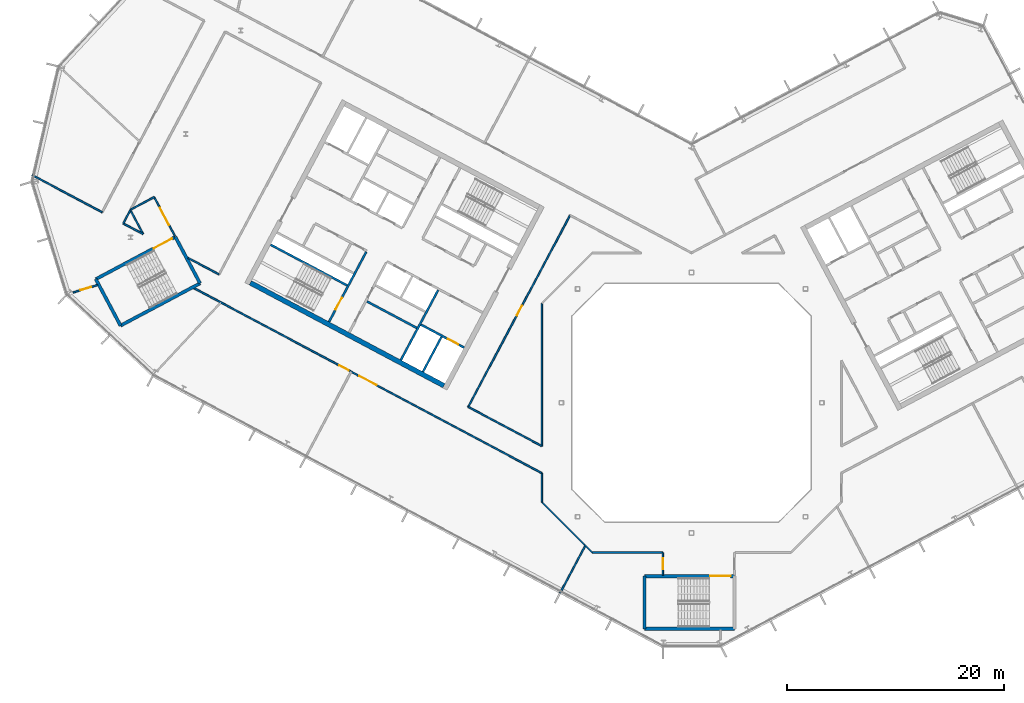
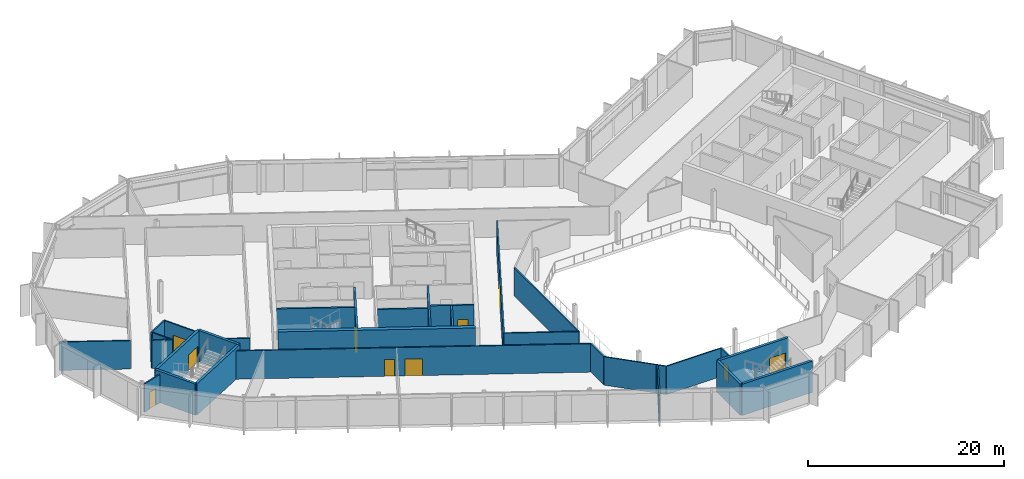
# One storey, part 12 of 25: 32 walls, 10 doors, 10 openings.
"""IFC4 building model written with IfcOpenShell, lengths in metres."""

from ifc_helpers import new_model, si_unit, direction, frame, frame_2d, origin, place, context, subcontext, project, spatial, rectangle, extrude, material, layer, layer_set, type_object, element, fill, save


model = new_model("IFC4")

# Units and contexts
model_context = context("Model", 3, precision=1e-05, world=origin(), true_north=direction((0.0, 1.0)))
body_context = subcontext(model_context, "Body", "Model", "MODEL_VIEW")
ifc_project = project(units=[si_unit("LENGTHUNIT", "METRE"), si_unit("AREAUNIT", "SQUARE_METRE"), si_unit("VOLUMEUNIT", "CUBIC_METRE"), si_unit("PLANEANGLEUNIT", "RADIAN"), si_unit("MASSUNIT", "GRAM", prefix="KILO")], contexts=[model_context])

# Site, building, storey
site_placement = place(None, origin())
site = spatial("IfcSite", under=ifc_project, at=site_placement, CompositionType="ELEMENT")
building_placement = place(site_placement, origin())
building = spatial("IfcBuilding", under=site, at=building_placement, Name="Cormorant Relay Tower", CompositionType="ELEMENT")
storey_placement = place(building_placement, frame((0.0, 0.0, 281.39990234375)))
storey = spatial("IfcBuildingStorey", under=building, at=storey_placement, Name="L63", CompositionType="ELEMENT", Elevation=281.39990234375)

# Walls
ifc_material_1 = material(Name="Concrete 40 MPa", Category="concrete")
ifc_layer_1 = layer(ifc_material_1, 0.199951171875)
ifc_layer_set_1 = layer_set([ifc_layer_1], Name="Core internal wall 200")
wall_type_1 = type_object("IfcWallType", Name="Core internal wall 200", PredefinedType="SOLIDWALL", material=ifc_layer_set_1)
wall_1_placement = place(storey_placement, frame((-25.326416015625, 6.8974609375, 0.0), z_axis=(0.0, 0.0, 1.0), x_axis=(-0.882953967957, 0.469459572775, 0.0)))
element("IfcWall", 1, at=wall_1_placement, inside=storey, type_object=wall_type_1, Name="L63 core A shaft and room wall", PredefinedType="SOLIDWALL", context=body_context, shape_type="SweptSolid", body=[
    extrude(rectangle(XDim=5.199951171875, YDim=0.199951171875, at=frame_2d((2.60009765625, 0.0))), origin(), (0.0, 0.0, 1.0), 3.900146484375),
])
ifc_material_2 = material(Name="Concrete 50 MPa", Category="concrete")
ifc_layer_2 = layer(ifc_material_2, 0.199951171875)
ifc_layer_set_2 = layer_set([ifc_layer_2], Name="Core shaft wall 200")
wall_type_2 = type_object("IfcWallType", Name="Core shaft wall 200", PredefinedType="SHEAR", material=ifc_layer_set_2)
wall_2_placement = place(storey_placement, frame((-23.04296875, 6.07958984375, 0.0), z_axis=(0.0, 0.0, 1.0), x_axis=(-0.469494272526, -0.882935517501, 0.0)))
element("IfcWall", 2, at=wall_2_placement, inside=storey, type_object=wall_type_2, Name="L63 core A shaft wall", PredefinedType="SHEAR", context=body_context, shape_type="SweptSolid", body=[
    extrude(rectangle(XDim=3.64990234375, YDim=0.199951171875, at=frame_2d((1.824951171875, 0.0))), origin(), (0.0, 0.0, 1.0), 3.900146484375),
])
wall_3_placement = place(storey_placement, frame((-23.360107421875, 10.38232421875, 0.0), z_axis=(0.0, 0.0, 1.0), x_axis=(-0.469480409012, -0.88294288918, 0.0)))
element("IfcWall", 3, at=wall_3_placement, inside=storey, type_object=wall_type_2, Name="L63 core A shaft wall", PredefinedType="SHEAR", context=body_context, shape_type="SweptSolid", body=[
    extrude(rectangle(XDim=7.300048828125, YDim=0.199951171875, at=frame_2d((3.64990234375, 0.0))), origin(), (0.0, 0.0, 1.0), 3.900146484375),
])

# Wall, opening, door
wall_4_placement = place(storey_placement, frame((-29.982421875, 13.9033203125, 0.0), z_axis=(0.0, 0.0, 1.0), x_axis=(-0.469454336211, -0.882956752176, 0.0)))
wall_4 = element("IfcWall", 4, at=wall_4_placement, inside=storey, type_object=wall_type_2, Name="L63 core A shaft wall", PredefinedType="SHEAR", context=body_context, shape_type="SweptSolid", body=[
    extrude(rectangle(XDim=7.300048828125, YDim=0.199951171875, at=frame_2d((3.64990234375, 0.0))), origin(), (0.0, 0.0, 1.0), 3.900146484375),
])
opening_1_placement = place(wall_4_placement, frame((4.800048828125, 0.0, 0.0)))
opening_1 = element("IfcOpeningElement", 5, at=opening_1_placement, cuts=wall_4, Name="Opening CDB-039", PredefinedType="OPENING", context=body_context, shape_type="SweptSolid", body=[
    extrude(rectangle(XDim=1.199951171875, YDim=2.10009765625, at=frame_2d((0.60009765625, 1.050048828125))), frame((0.0, 0.10986328125, 0.0), z_axis=(0.0, -1.0, 0.0), x_axis=(1.0, 0.0, 0.0)), (0.0, 0.0, 1.0), 0.219970703125),
])
ifc_material_3 = material(Name="Steel fire door", Category="steel")
door_type_1 = type_object("IfcDoorType", Name="Core stair door 1200x2100", OperationType="SINGLE_SWING_LEFT", PredefinedType="DOOR", material=ifc_material_3)
door_1_placement = place(opening_1_placement, frame((1.199951171875, 0.0, 0.0), z_axis=(0.0, 0.0, 1.0), x_axis=(-1.0, 0.0, 0.0)))
door_1 = element("IfcDoor", 6, at=door_1_placement, inside=storey, type_object=door_type_1, Name="Core stair door 1200x2100", OperationType="SINGLE_SWING_RIGHT", OverallHeight=2.10009765625, OverallWidth=1.199951171875, PredefinedType="DOOR", context=body_context, shape_type="SweptSolid", body=[
    extrude(rectangle(XDim=1.199951171875, YDim=2.10009765625, at=frame_2d((0.60009765625, 1.050048828125))), frame((0.0, 0.02490234375, 0.0), z_axis=(0.0, -1.0, 0.0), x_axis=(1.0, 0.0, 0.0)), (0.0, 0.0, 1.0), 0.050048828125),
])
fill(opening_1, door_1)

wall_5_placement = place(storey_placement, frame((-20.96533203125, 5.088134765625, 0.0), z_axis=(0.0, 0.0, 1.0), x_axis=(-0.882925986334, 0.469512196493, 0.0)))
wall_5 = element("IfcWall", 7, at=wall_5_placement, inside=storey, type_object=wall_type_2, Name="L63 core A shaft wall", PredefinedType="SHEAR", context=body_context, shape_type="SweptSolid", body=[
    extrude(rectangle(XDim=4.5, YDim=0.199951171875, at=frame_2d((2.25, 0.0))), origin(), (0.0, 0.0, 1.0), 3.900146484375),
])
opening_2_placement = place(wall_5_placement, frame((0.60009765625, 0.0, 0.0)))
opening_2 = element("IfcOpeningElement", 8, at=opening_2_placement, cuts=wall_5, Name="Opening LD1-063", PredefinedType="OPENING", context=body_context, shape_type="SweptSolid", body=[
    extrude(rectangle(XDim=1.10009765625, YDim=2.10009765625, at=frame_2d((0.550048828125, 1.050048828125))), frame((0.0, 0.10986328125, 0.0), z_axis=(0.0, -1.0, 0.0), x_axis=(1.0, 0.0, 0.0)), (0.0, 0.0, 1.0), 0.219970703125),
])
ifc_material_4 = material(Name="Stainless steel 316", Category="steel")
door_type_2 = type_object("IfcDoorType", Name="Lift landing door 1100x2100", OperationType="DOUBLE_DOOR_SLIDING", PredefinedType="DOOR", material=ifc_material_4)
door_2_placement = place(opening_2_placement, origin())
door_2 = element("IfcDoor", 9, at=door_2_placement, inside=storey, type_object=door_type_2, Name="FF1 landing door", OperationType="DOUBLE_DOOR_SLIDING", OverallHeight=2.10009765625, OverallWidth=1.10009765625, PredefinedType="DOOR", context=body_context, shape_type="SweptSolid", body=[
    extrude(rectangle(XDim=1.10009765625, YDim=2.10009765625, at=frame_2d((0.550048828125, 1.050048828125))), frame((0.0, 0.02490234375, 0.0), z_axis=(0.0, -1.0, 0.0), x_axis=(1.0, 0.0, 0.0)), (0.0, 0.0, 1.0), 0.050048828125),
])
fill(opening_2, door_2)

# Walls
wall_6_placement = place(storey_placement, frame((-31.7373046875, 10.815673828125, 0.0), z_axis=(0.0, 0.0, 1.0), x_axis=(-0.882940221191, 0.469485426614, 0.0)))
element("IfcWall", 10, at=wall_6_placement, inside=storey, type_object=wall_type_2, Name="L63 core A shaft wall", PredefinedType="SHEAR", context=body_context, shape_type="SweptSolid", body=[
    extrude(rectangle(XDim=8.0, YDim=0.199951171875, at=frame_2d((4.0, 0.0))), origin(), (0.0, 0.0, 1.0), 3.900146484375),
])
ifc_material_5 = material(Name="Concrete 50 MPa", Category="concrete")
ifc_layer_3 = layer(ifc_material_5, 0.449951171875)
ifc_layer_set_3 = layer_set([ifc_layer_3], Name="Core wall 450")
wall_type_3 = type_object("IfcWallType", Name="Core wall 450", PredefinedType="SHEAR", material=ifc_layer_set_3)
wall_7_placement = place(storey_placement, frame((-22.83154296875, 1.578369140625, 0.0), z_axis=(0.0, 0.0, 1.0), x_axis=(-0.88294509198, 0.469476266226, 0.0)))
element("IfcWall", 11, at=wall_7_placement, inside=storey, type_object=wall_type_3, Name="L63 core A wall", PredefinedType="SHEAR", context=body_context, shape_type="SweptSolid", body=[
    extrude(rectangle(XDim=20.199951171875, YDim=0.449951171875, at=frame_2d((10.10009765625, 0.0))), origin(), (0.0, 0.0, 1.0), 3.900146484375),
])
ifc_material_6 = material(Name="Gypsum board fire partition")
ifc_layer_4 = layer(ifc_material_6, 0.14990234375)
ifc_layer_set_4 = layer_set([ifc_layer_4], Name="Corridor partition 150 EI 60")
wall_type_4 = type_object("IfcWallType", Name="Corridor partition 150 EI 60", PredefinedType="PARTITIONING", material=ifc_layer_set_4)
wall_8_placement = place(storey_placement, frame((-54.31591796875, 17.554931640625, 0.0), z_axis=(0.0, 0.0, 1.0), x_axis=(-0.882945267795, 0.469475935569, 0.0)))
element("IfcWall", 12, at=wall_8_placement, inside=storey, type_object=wall_type_4, Name="wall/L63/part/004", PredefinedType="PARTITIONING", context=body_context, shape_type="SweptSolid", body=[
    extrude(rectangle(XDim=7.32763671875, YDim=0.14990234375, at=frame_2d((3.663818359375, 0.0))), origin(), (0.0, 0.0, 1.0), 3.5400390625),
])

# Wall, opening, door
wall_9_placement = place(storey_placement, frame((-54.73193359375, 10.85693359375, 0.0), z_axis=(0.0, 0.0, 1.0), x_axis=(-0.956231519395, -0.292611143525, 0.0)))
wall_9 = element("IfcWall", 13, at=wall_9_placement, inside=storey, type_object=wall_type_4, Name="wall/L63/part/005", PredefinedType="PARTITIONING", context=body_context, shape_type="SweptSolid", body=[
    extrude(rectangle(XDim=2.385498046875, YDim=0.14990234375, at=frame_2d((1.19287109375, 0.0))), origin(), (0.0, 0.0, 1.0), 3.5400390625),
])
opening_3_placement = place(wall_9_placement, frame((0.64990234375, 0.0, 0.0)))
opening_3 = element("IfcOpeningElement", 14, at=opening_3_placement, cuts=wall_9, Name="Opening DS-205", PredefinedType="OPENING", context=body_context, shape_type="SweptSolid", body=[
    extrude(rectangle(XDim=1.0, YDim=2.10009765625, at=frame_2d((0.5, 1.050048828125))), frame((0.0, 0.0849609375, 0.0), z_axis=(0.0, -1.0, 0.0), x_axis=(1.0, 0.0, 0.0)), (0.0, 0.0, 1.0), 0.169921875),
])
ifc_material_7 = material(Name="Timber door leaf", Category="wood")
door_type_3 = type_object("IfcDoorType", Name="Suite door 1000x2100", OperationType="SINGLE_SWING_LEFT", PredefinedType="DOOR", material=ifc_material_7)
door_3_placement = place(opening_3_placement, origin())
door_3 = element("IfcDoor", 15, at=door_3_placement, inside=storey, type_object=door_type_3, Name="door/L63/008", OperationType="SINGLE_SWING_LEFT", OverallHeight=2.10009765625, OverallWidth=1.0, PredefinedType="DOOR", context=body_context, shape_type="SweptSolid", body=[
    extrude(rectangle(XDim=1.0, YDim=2.10009765625, at=frame_2d((0.5, 1.050048828125))), frame((0.0, 0.02490234375, 0.0), z_axis=(0.0, -1.0, 0.0), x_axis=(1.0, 0.0, 0.0)), (0.0, 0.0, 1.0), 0.050048828125),
])
fill(opening_3, door_3)

wall_10_placement = place(storey_placement, frame((-47.62109375, 15.3779296875, 0.0), z_axis=(0.0, 0.0, 1.0), x_axis=(-0.469542997944, 0.882909606404, 0.0)))
wall_10 = element("IfcWall", 16, at=wall_10_placement, inside=storey, type_object=wall_type_4, Name="wall/L63/part/010", PredefinedType="PARTITIONING", context=body_context, shape_type="SweptSolid", body=[
    extrude(rectangle(XDim=4.050537109375, YDim=0.14990234375, at=frame_2d((2.025390625, 0.0))), origin(), (0.0, 0.0, 1.0), 3.5400390625),
])
opening_4_placement = place(wall_10_placement, frame((1.14990234375, 0.0, 0.0)))
opening_4 = element("IfcOpeningElement", 17, at=opening_4_placement, cuts=wall_10, Name="Opening DD-035", PredefinedType="OPENING", context=body_context, shape_type="SweptSolid", body=[
    extrude(rectangle(XDim=1.800048828125, YDim=2.10009765625, at=frame_2d((0.89990234375, 1.050048828125))), frame((0.0, 0.0849609375, 0.0), z_axis=(0.0, -1.0, 0.0), x_axis=(1.0, 0.0, 0.0)), (0.0, 0.0, 1.0), 0.169921875),
])
ifc_material_8 = material(Name="Timber door leaf", Category="wood")
door_type_4 = type_object("IfcDoorType", Name="Suite double door 1800x2100", OperationType="DOUBLE_DOOR_SINGLE_SWING", PredefinedType="DOOR", material=ifc_material_8)
door_4_placement = place(opening_4_placement, frame((1.800048828125, 0.0, 0.0), z_axis=(0.0, 0.0, 1.0), x_axis=(-1.0, 0.0, 0.0)))
door_4 = element("IfcDoor", 18, at=door_4_placement, inside=storey, type_object=door_type_4, Name="door/L63/003", OperationType="DOUBLE_DOOR_SINGLE_SWING", OverallHeight=2.10009765625, OverallWidth=1.800048828125, PredefinedType="DOOR", context=body_context, shape_type="SweptSolid", body=[
    extrude(rectangle(XDim=1.800048828125, YDim=2.10009765625, at=frame_2d((0.89990234375, 1.050048828125))), frame((0.0, 0.02490234375, 0.0), z_axis=(0.0, -1.0, 0.0), x_axis=(1.0, 0.0, 0.0)), (0.0, 0.0, 1.0), 0.050048828125),
])
fill(opening_4, door_4)

# Walls
wall_11_placement = place(storey_placement, frame((-49.52294921875, 18.9541015625, 0.0), z_axis=(0.0, 0.0, 1.0), x_axis=(-0.882767334528, -0.469810422501, 0.0)))
element("IfcWall", 19, at=wall_11_placement, inside=storey, type_object=wall_type_4, Name="wall/L63/part/011", PredefinedType="PARTITIONING", context=body_context, shape_type="SweptSolid", body=[
    extrude(rectangle(XDim=2.460693359375, YDim=0.14990234375, at=frame_2d((1.23046875, 0.0))), origin(), (0.0, 0.0, 1.0), 3.5400390625),
])
wall_12_placement = place(storey_placement, frame((-43.5439453125, 11.826904296875, 0.0), z_axis=(0.0, 0.0, 1.0), x_axis=(-0.882974130461, 0.469421649411, 0.0)))
element("IfcWall", 20, at=wall_12_placement, inside=storey, type_object=wall_type_4, Name="wall/L63/part/015", PredefinedType="PARTITIONING", context=body_context, shape_type="SweptSolid", body=[
    extrude(rectangle(XDim=3.238037109375, YDim=0.14990234375, at=frame_2d((1.619140625, 0.0))), origin(), (0.0, 0.0, 1.0), 3.5400390625),
])

# Wall, openings, doors
wall_13_placement = place(storey_placement, frame((-13.800048828125, -6.47998046875, 0.0), z_axis=(0.0, 0.0, 1.0), x_axis=(-0.882943991273, 0.469478336322, 0.0)))
wall_13 = element("IfcWall", 21, at=wall_13_placement, inside=storey, type_object=wall_type_4, Name="wall/L63/part/016", PredefinedType="PARTITIONING", context=body_context, shape_type="SweptSolid", body=[
    extrude(rectangle(XDim=36.32958984375, YDim=0.14990234375, at=frame_2d((18.164794921875, 0.0))), origin(), (0.0, 0.0, 1.0), 3.5400390625),
])
opening_5_placement = place(wall_13_placement, frame((20.14990234375, 0.0, 0.0)))
opening_5 = element("IfcOpeningElement", 22, at=opening_5_placement, cuts=wall_13, Name="Opening DS-215", PredefinedType="OPENING", context=body_context, shape_type="SweptSolid", body=[
    extrude(rectangle(XDim=1.0, YDim=2.10009765625, at=frame_2d((0.5, 1.050048828125))), frame((0.0, 0.0849609375, 0.0), z_axis=(0.0, -1.0, 0.0), x_axis=(1.0, 0.0, 0.0)), (0.0, 0.0, 1.0), 0.169921875),
])
opening_6_placement = place(wall_13_placement, frame((17.25, 0.0, 0.0)))
opening_6 = element("IfcOpeningElement", 23, at=opening_6_placement, cuts=wall_13, Name="Opening DD-037", PredefinedType="OPENING", context=body_context, shape_type="SweptSolid", body=[
    extrude(rectangle(XDim=1.800048828125, YDim=2.10009765625, at=frame_2d((0.89990234375, 1.050048828125))), frame((0.0, 0.0849609375, 0.0), z_axis=(0.0, -1.0, 0.0), x_axis=(1.0, 0.0, 0.0)), (0.0, 0.0, 1.0), 0.169921875),
])
door_5_placement = place(opening_5_placement, origin())
door_5 = element("IfcDoor", 24, at=door_5_placement, inside=storey, type_object=door_type_3, Name="door/L63/009", OperationType="SINGLE_SWING_LEFT", OverallHeight=2.10009765625, OverallWidth=1.0, PredefinedType="DOOR", context=body_context, shape_type="SweptSolid", body=[
    extrude(rectangle(XDim=1.0, YDim=2.10009765625, at=frame_2d((0.5, 1.050048828125))), frame((0.0, 0.02490234375, 0.0), z_axis=(0.0, -1.0, 0.0), x_axis=(1.0, 0.0, 0.0)), (0.0, 0.0, 1.0), 0.050048828125),
])
fill(opening_5, door_5)
door_6_placement = place(opening_6_placement, origin())
door_6 = element("IfcDoor", 25, at=door_6_placement, inside=storey, type_object=door_type_4, Name="door/L63/010", OperationType="DOUBLE_DOOR_SINGLE_SWING", OverallHeight=2.10009765625, OverallWidth=1.800048828125, PredefinedType="DOOR", context=body_context, shape_type="SweptSolid", body=[
    extrude(rectangle(XDim=1.800048828125, YDim=2.10009765625, at=frame_2d((0.89990234375, 1.050048828125))), frame((0.0, 0.02490234375, 0.0), z_axis=(0.0, -1.0, 0.0), x_axis=(1.0, 0.0, 0.0)), (0.0, 0.0, 1.0), 0.050048828125),
])
fill(opening_6, door_6)

# Walls
wall_14_placement = place(storey_placement, frame((-9.89892578125, -13.06005859375, 0.0), z_axis=(0.0, 0.0, 1.0), x_axis=(-0.707195291234, 0.707018260058, 0.0)))
element("IfcWall", 26, at=wall_14_placement, inside=storey, type_object=wall_type_4, Name="wall/L63/part/021", PredefinedType="PARTITIONING", context=body_context, shape_type="SweptSolid", body=[
    extrude(rectangle(XDim=5.516357421875, YDim=0.14990234375, at=frame_2d((2.75830078125, 0.0))), origin(), (0.0, 0.0, 1.0), 3.5400390625),
])
wall_15_placement = place(storey_placement, frame((-13.800048828125, -9.159912109375, 0.0), z_axis=(0.0, 0.0, 1.0), x_axis=(0.0, 1.0, 0.0)))
element("IfcWall", 27, at=wall_15_placement, inside=storey, type_object=wall_type_4, Name="wall/L63/part/022", PredefinedType="PARTITIONING", context=body_context, shape_type="SweptSolid", body=[
    extrude(rectangle(XDim=2.65380859375, YDim=0.14990234375, at=frame_2d((1.326904296875, 0.0))), origin(), (0.0, 0.0, 1.0), 3.5400390625),
])
wall_16_placement = place(storey_placement, frame((-9.159912109375, -13.800048828125, 0.0), z_axis=(0.0, 0.0, 1.0), x_axis=(-0.706639735909, 0.707573518183, 0.0)))
element("IfcWall", 28, at=wall_16_placement, inside=storey, type_object=wall_type_4, Name="wall/L63/part/024", PredefinedType="PARTITIONING", context=body_context, shape_type="SweptSolid", body=[
    extrude(rectangle(XDim=1.0458984375, YDim=0.14990234375, at=frame_2d((0.52294921875, 0.0))), origin(), (0.0, 0.0, 1.0), 3.5400390625),
])

# Wall, opening, door
wall_17_placement = place(storey_placement, frame((-2.64892578125, -15.875, 0.0), z_axis=(0.0, 0.0, 1.0), x_axis=(0.0, 1.0, 0.0)))
wall_17 = element("IfcWall", 29, at=wall_17_placement, inside=storey, type_object=wall_type_4, Name="wall/L63/part/025", PredefinedType="PARTITIONING", context=body_context, shape_type="SweptSolid", body=[
    extrude(rectangle(XDim=2.074951171875, YDim=0.14990234375, at=frame_2d((1.03759765625, 0.0))), origin(), (0.0, 0.0, 1.0), 3.5400390625),
])
opening_7_placement = place(wall_17_placement, frame((0.550048828125, 0.0, 0.0)))
opening_7 = element("IfcOpeningElement", 30, at=opening_7_placement, cuts=wall_17, Name="Opening DS-216", PredefinedType="OPENING", context=body_context, shape_type="SweptSolid", body=[
    extrude(rectangle(XDim=1.0, YDim=2.10009765625, at=frame_2d((0.5, 1.050048828125))), frame((0.0, 0.0849609375, 0.0), z_axis=(0.0, -1.0, 0.0), x_axis=(1.0, 0.0, 0.0)), (0.0, 0.0, 1.0), 0.169921875),
])
door_7_placement = place(opening_7_placement, origin())
door_7 = element("IfcDoor", 31, at=door_7_placement, inside=storey, type_object=door_type_3, Name="door/L63/011", OperationType="SINGLE_SWING_RIGHT", OverallHeight=2.10009765625, OverallWidth=1.0, PredefinedType="DOOR", context=body_context, shape_type="SweptSolid", body=[
    extrude(rectangle(XDim=1.0, YDim=2.10009765625, at=frame_2d((0.5, 1.050048828125))), frame((0.0, 0.02490234375, 0.0), z_axis=(0.0, -1.0, 0.0), x_axis=(1.0, 0.0, 0.0)), (0.0, 0.0, 1.0), 0.050048828125),
])
fill(opening_7, door_7)

# Walls
wall_18_placement = place(storey_placement, frame((-2.64892578125, -13.800048828125, 0.0), z_axis=(0.0, 0.0, 1.0), x_axis=(-1.0, 0.0, 0.0)))
element("IfcWall", 32, at=wall_18_placement, inside=storey, type_object=wall_type_4, Name="wall/L63/part/026", PredefinedType="PARTITIONING", context=body_context, shape_type="SweptSolid", body=[
    extrude(rectangle(XDim=6.510986328125, YDim=0.14990234375, at=frame_2d((3.25537109375, 0.0))), origin(), (0.0, 0.0, 1.0), 3.5400390625),
])
wall_19_placement = place(storey_placement, frame((-51.717041015625, 17.757080078125, 0.0), z_axis=(0.0, 0.0, 1.0), x_axis=(-0.469618761384, -0.882869310236, 0.0)))
element("IfcWall", 33, at=wall_19_placement, inside=storey, type_object=wall_type_4, Name="wall/L63/part/043", PredefinedType="PARTITIONING", context=body_context, shape_type="SweptSolid", body=[
    extrude(rectangle(XDim=1.39892578125, YDim=0.14990234375, at=frame_2d((0.699462890625, 0.0))), origin(), (0.0, 0.0, 1.0), 3.5400390625),
])
wall_20_placement = place(storey_placement, frame((-52.3740234375, 16.52197265625, 0.0), z_axis=(0.0, 0.0, 1.0), x_axis=(0.882981472085, -0.469407839682, 0.0)))
element("IfcWall", 34, at=wall_20_placement, inside=storey, type_object=wall_type_4, Name="wall/L63/part/044", PredefinedType="PARTITIONING", context=body_context, shape_type="SweptSolid", body=[
    extrude(rectangle(XDim=2.072509765625, YDim=0.14990234375, at=frame_2d((1.0361328125, 0.0))), origin(), (0.0, 0.0, 1.0), 3.5400390625),
])
wall_21_placement = place(storey_placement, frame((-50.5439453125, 15.549072265625, 0.0), z_axis=(0.0, 0.0, 1.0), x_axis=(-0.469183782948, 0.883100547967, 0.0)))
element("IfcWall", 35, at=wall_21_placement, inside=storey, type_object=wall_type_4, Name="wall/L63/part/045", PredefinedType="PARTITIONING", context=body_context, shape_type="SweptSolid", body=[
    extrude(rectangle(XDim=2.500244140625, YDim=0.14990234375, at=frame_2d((1.25, 0.0))), origin(), (0.0, 0.0, 1.0), 3.5400390625),
])

# Wall, opening, door
wall_22_placement = place(storey_placement, frame((-20.587890625, -0.37890625, 0.0), z_axis=(0.0, 0.0, 1.0), x_axis=(0.469489882812, 0.882937851685, 0.0)))
wall_22 = element("IfcWall", 36, at=wall_22_placement, inside=storey, type_object=wall_type_4, Name="wall/L63/part/046", PredefinedType="PARTITIONING", context=body_context, shape_type="SweptSolid", body=[
    extrude(rectangle(XDim=20.000244140625, YDim=0.14990234375, at=frame_2d((10.0, 0.0))), origin(), (0.0, 0.0, 1.0), 3.5400390625),
])
opening_8_placement = place(wall_22_placement, frame((9.550048828125, 0.0, 0.0)))
opening_8 = element("IfcOpeningElement", 37, at=opening_8_placement, cuts=wall_22, Name="Opening DS-117", PredefinedType="OPENING", context=body_context, shape_type="SweptSolid", body=[
    extrude(rectangle(XDim=1.0, YDim=2.10009765625, at=frame_2d((0.5, 1.050048828125))), frame((0.0, 0.0849609375, 0.0), z_axis=(0.0, -1.0, 0.0), x_axis=(1.0, 0.0, 0.0)), (0.0, 0.0, 1.0), 0.169921875),
])
door_8_placement = place(opening_8_placement, frame((1.0, 0.0, 0.0), z_axis=(0.0, 0.0, 1.0), x_axis=(-1.0, 0.0, 0.0)))
door_8 = element("IfcDoor", 38, at=door_8_placement, inside=storey, type_object=door_type_3, Name="door/L63/004", OperationType="SINGLE_SWING_LEFT", OverallHeight=2.10009765625, OverallWidth=1.0, PredefinedType="DOOR", context=body_context, shape_type="SweptSolid", body=[
    extrude(rectangle(XDim=1.0, YDim=2.10009765625, at=frame_2d((0.5, 1.050048828125))), frame((0.0, 0.02490234375, 0.0), z_axis=(0.0, -1.0, 0.0), x_axis=(1.0, 0.0, 0.0)), (0.0, 0.0, 1.0), 0.050048828125),
])
fill(opening_8, door_8)

# Walls
wall_23_placement = place(storey_placement, frame((-13.800048828125, 9.159912109375, 0.0), z_axis=(0.0, 0.0, 1.0), x_axis=(0.0, -1.0, 0.0)))
element("IfcWall", 39, at=wall_23_placement, inside=storey, type_object=wall_type_4, Name="wall/L63/part/050", PredefinedType="PARTITIONING", context=body_context, shape_type="SweptSolid", body=[
    extrude(rectangle(XDim=13.14794921875, YDim=0.14990234375, at=frame_2d((6.573974609375, 0.0))), origin(), (0.0, 0.0, 1.0), 3.5400390625),
])
wall_24_placement = place(storey_placement, frame((-13.800048828125, -3.988037109375, 0.0), z_axis=(0.0, 0.0, 1.0), x_axis=(-0.882949137368, 0.469468657976, 0.0)))
element("IfcWall", 40, at=wall_24_placement, inside=storey, type_object=wall_type_4, Name="wall/L63/part/051", PredefinedType="PARTITIONING", context=body_context, shape_type="SweptSolid", body=[
    extrude(rectangle(XDim=7.687744140625, YDim=0.14990234375, at=frame_2d((3.84375, 0.0))), origin(), (0.0, 0.0, 1.0), 3.5400390625),
])
ifc_material_9 = material(Name="Concrete 50 MPa", Category="concrete")
ifc_layer_5 = layer(ifc_material_9, 0.300048828125)
ifc_layer_set_5 = layer_set([ifc_layer_5], Name="Remote stair wall 300")
wall_type_5 = type_object("IfcWallType", Name="Remote stair wall 300", PredefinedType="SHEAR", material=ifc_layer_set_5)
wall_25_placement = place(storey_placement, frame((3.949951171875, -20.824951171875, 0.0), z_axis=(0.0, 0.0, 1.0), x_axis=(-1.0, 0.0, 0.0)))
element("IfcWall", 41, at=wall_25_placement, inside=storey, type_object=wall_type_5, Name="L63 exit stair RK1 wall", PredefinedType="SHEAR", context=body_context, shape_type="SweptSolid", body=[
    extrude(rectangle(XDim=8.300048828125, YDim=0.300048828125, at=frame_2d((4.14990234375, 0.0))), origin(), (0.0, 0.0, 1.0), 3.900146484375),
])
wall_26_placement = place(storey_placement, frame((-4.35009765625, -20.824951171875, 0.0), z_axis=(0.0, 0.0, 1.0), x_axis=(0.0, 1.0, 0.0)))
element("IfcWall", 42, at=wall_26_placement, inside=storey, type_object=wall_type_5, Name="L63 exit stair RK1 wall", PredefinedType="SHEAR", context=body_context, shape_type="SweptSolid", body=[
    extrude(rectangle(XDim=4.849853515625, YDim=0.300048828125, at=frame_2d((2.4248046875, 0.0))), origin(), (0.0, 0.0, 1.0), 3.900146484375),
])

# Wall, opening, door
wall_27_placement = place(storey_placement, frame((-4.35009765625, -15.97509765625, 0.0), z_axis=(0.0, 0.0, 1.0), x_axis=(1.0, 0.0, 0.0)))
wall_27 = element("IfcWall", 43, at=wall_27_placement, inside=storey, type_object=wall_type_5, Name="L63 exit stair RK1 wall", PredefinedType="SHEAR", context=body_context, shape_type="SweptSolid", body=[
    extrude(rectangle(XDim=8.300048828125, YDim=0.300048828125, at=frame_2d((4.14990234375, 0.0))), origin(), (0.0, 0.0, 1.0), 3.900146484375),
])
opening_9_placement = place(wall_27_placement, frame((6.050048828125, 0.0, 0.0)))
opening_9 = element("IfcOpeningElement", 44, at=opening_9_placement, cuts=wall_27, Name="Opening CDE-014", PredefinedType="OPENING", context=body_context, shape_type="SweptSolid", body=[
    extrude(rectangle(XDim=1.89990234375, YDim=2.10009765625, at=frame_2d((0.949951171875, 1.050048828125))), frame((0.0, 0.159912109375, 0.0), z_axis=(0.0, -1.0, 0.0), x_axis=(1.0, 0.0, 0.0)), (0.0, 0.0, 1.0), 0.320068359375),
])
ifc_material_10 = material(Name="Steel fire door", Category="steel")
door_type_5 = type_object("IfcDoorType", Name="Remote stair door 1900x2100", OperationType="DOUBLE_DOOR_SINGLE_SWING", PredefinedType="DOOR", material=ifc_material_10)
door_9_placement = place(opening_9_placement, frame((1.89990234375, 0.0, 0.0), z_axis=(0.0, 0.0, 1.0), x_axis=(-1.0, 0.0, 0.0)))
door_9 = element("IfcDoor", 45, at=door_9_placement, inside=storey, type_object=door_type_5, Name="Exit stair RK1 door", OperationType="DOUBLE_DOOR_SINGLE_SWING", OverallHeight=2.10009765625, OverallWidth=1.89990234375, PredefinedType="DOOR", context=body_context, shape_type="SweptSolid", body=[
    extrude(rectangle(XDim=1.89990234375, YDim=2.10009765625, at=frame_2d((0.949951171875, 1.050048828125))), frame((0.0, 0.02490234375, 0.0), z_axis=(0.0, -1.0, 0.0), x_axis=(1.0, 0.0, 0.0)), (0.0, 0.0, 1.0), 0.050048828125),
])
fill(opening_9, door_9)

# Walls
wall_28_placement = place(storey_placement, frame((-47.57421875, 15.28955078125, 0.0), z_axis=(0.0, 0.0, 1.0), x_axis=(0.469443498566, -0.882962514297, 0.0)))
element("IfcWall", 46, at=wall_28_placement, inside=storey, type_object=wall_type_5, Name="L63 exit stair RP1 wall", PredefinedType="SHEAR", context=body_context, shape_type="SweptSolid", body=[
    extrude(rectangle(XDim=4.85009765625, YDim=0.300048828125, at=frame_2d((2.425048828125, 0.0))), origin(), (0.0, 0.0, 1.0), 3.900146484375),
])
wall_29_placement = place(storey_placement, frame((-45.29736328125, 11.007080078125, 0.0), z_axis=(0.0, 0.0, 1.0), x_axis=(-0.882951519127, -0.469464178475, 0.0)))
element("IfcWall", 47, at=wall_29_placement, inside=storey, type_object=wall_type_5, Name="L63 exit stair RP1 wall", PredefinedType="SHEAR", context=body_context, shape_type="SweptSolid", body=[
    extrude(rectangle(XDim=8.2998046875, YDim=0.300048828125, at=frame_2d((4.14990234375, 0.0))), origin(), (0.0, 0.0, 1.0), 3.900146484375),
])
wall_30_placement = place(storey_placement, frame((-52.625732421875, 7.110595703125, 0.0), z_axis=(0.0, 0.0, 1.0), x_axis=(-0.469464364128, 0.882951420416, 0.0)))
element("IfcWall", 48, at=wall_30_placement, inside=storey, type_object=wall_type_5, Name="L63 exit stair RP1 wall", PredefinedType="SHEAR", context=body_context, shape_type="SweptSolid", body=[
    extrude(rectangle(XDim=4.849853515625, YDim=0.300048828125, at=frame_2d((2.4248046875, 0.0))), origin(), (0.0, 0.0, 1.0), 3.900146484375),
])

# Wall, opening, door
wall_31_placement = place(storey_placement, frame((-54.902587890625, 11.392822265625, 0.0), z_axis=(0.0, 0.0, 1.0), x_axis=(0.882939326045, 0.469487110071, 0.0)))
wall_31 = element("IfcWall", 49, at=wall_31_placement, inside=storey, type_object=wall_type_5, Name="L63 exit stair RP1 wall", PredefinedType="SHEAR", context=body_context, shape_type="SweptSolid", body=[
    extrude(rectangle(XDim=8.300048828125, YDim=0.300048828125, at=frame_2d((4.14990234375, 0.0))), origin(), (0.0, 0.0, 1.0), 3.900146484375),
])
opening_10_placement = place(wall_31_placement, frame((6.050048828125, 0.0, 0.0)))
opening_10 = element("IfcOpeningElement", 50, at=opening_10_placement, cuts=wall_31, Name="Opening CDE-015", PredefinedType="OPENING", context=body_context, shape_type="SweptSolid", body=[
    extrude(rectangle(XDim=1.89990234375, YDim=2.10009765625, at=frame_2d((0.949951171875, 1.050048828125))), frame((0.0, 0.159912109375, 0.0), z_axis=(0.0, -1.0, 0.0), x_axis=(1.0, 0.0, 0.0)), (0.0, 0.0, 1.0), 0.320068359375),
])
door_10_placement = place(opening_10_placement, frame((1.89990234375, 0.0, 0.0), z_axis=(0.0, 0.0, 1.0), x_axis=(-1.0, 0.0, 0.0)))
door_10 = element("IfcDoor", 51, at=door_10_placement, inside=storey, type_object=door_type_5, Name="Exit stair RP1 door", OperationType="DOUBLE_DOOR_SINGLE_SWING", OverallHeight=2.10009765625, OverallWidth=1.89990234375, PredefinedType="DOOR", context=body_context, shape_type="SweptSolid", body=[
    extrude(rectangle(XDim=1.89990234375, YDim=2.10009765625, at=frame_2d((0.949951171875, 1.050048828125))), frame((0.0, 0.02490234375, 0.0), z_axis=(0.0, -1.0, 0.0), x_axis=(1.0, 0.0, 0.0)), (0.0, 0.0, 1.0), 0.050048828125),
])
fill(opening_10, door_10)

# Wall
ifc_material_11 = material(Name="Gypsum board partition")
ifc_layer_6 = layer(ifc_material_11, 0.14990234375)
ifc_layer_set_6 = layer_set([ifc_layer_6], Name="Tenant partition 150")
wall_type_6 = type_object("IfcWallType", Name="Tenant partition 150", PredefinedType="PARTITIONING", material=ifc_layer_set_6)
wall_32_placement = place(storey_placement, frame((-9.7939453125, -13.1650390625, 0.0), z_axis=(0.0, 0.0, 1.0), x_axis=(-0.469669090987, -0.882842536906, 0.0)))
element("IfcWall", 52, at=wall_32_placement, inside=storey, type_object=wall_type_6, Name="wall/L63/part/023", PredefinedType="PARTITIONING", context=body_context, shape_type="SweptSolid", body=[
    extrude(rectangle(XDim=4.978271484375, YDim=0.14990234375, at=frame_2d((2.4892578125, 0.0))), origin(), (0.0, 0.0, 1.0), 3.5400390625),
])

save(model, "model.ifc")
